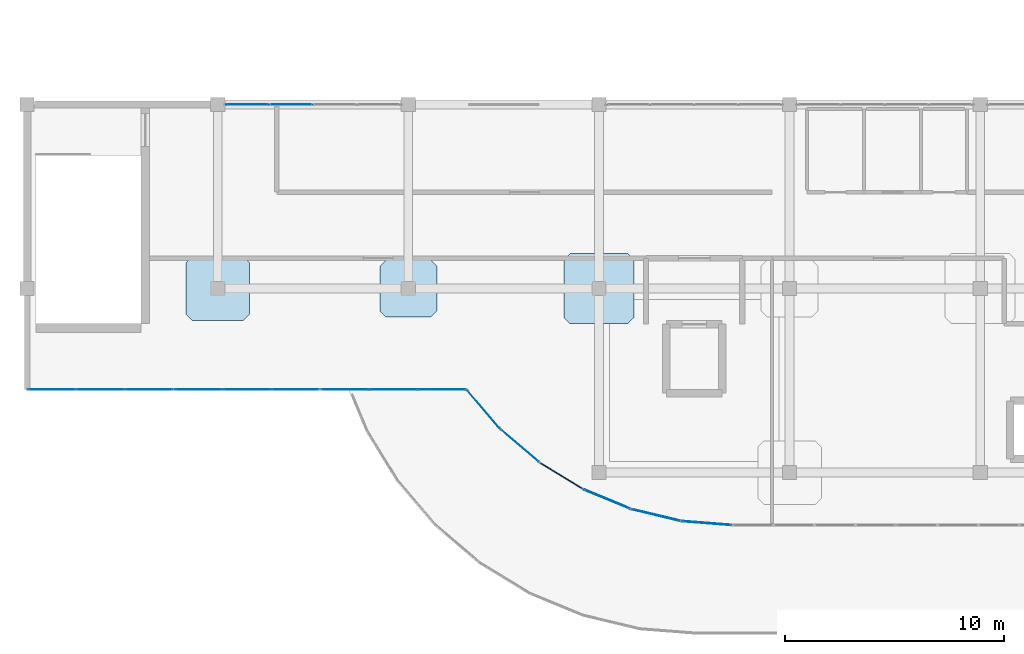
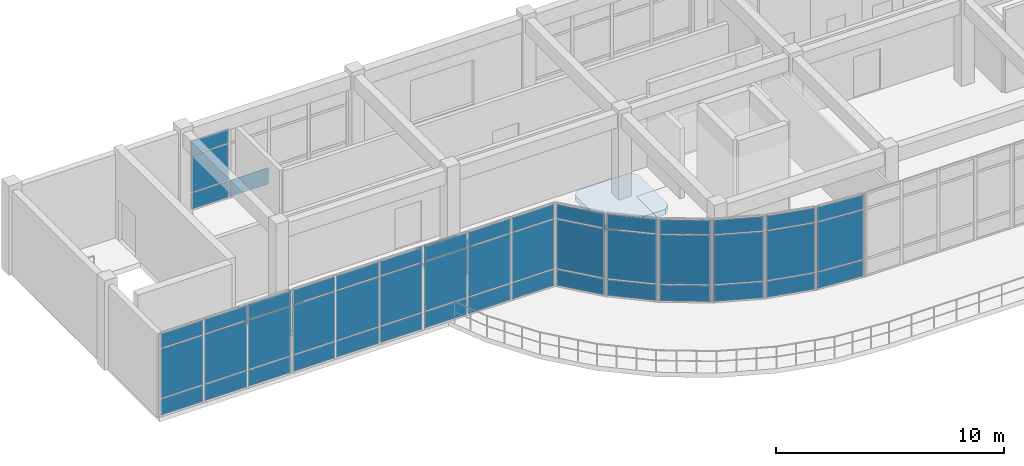
# One storey, part 31 of 41: 49 plates, 3 slabs, 10 elements without a shape of their own.
"""IFC4 building model written with IfcOpenShell, lengths in metres."""

from ifc_helpers import new_model, si_unit, derived_unit, direction, frame, origin, origin_2d, place, context, subcontext, project, spatial, polyline, rectangle, outline, extrude, material, layer, layer_set, type_object, element, aggregate, save


model = new_model("IFC4")

# Units and contexts
model_context = context("Model", 3, precision=1e-05, world=origin(), true_north=direction((0.0, 1.0)))
body_context = subcontext(model_context, "Body", "Model", "MODEL_VIEW")
ifc_project = project(units=[si_unit("LENGTHUNIT", "METRE"), si_unit("AREAUNIT", "SQUARE_METRE"), si_unit("VOLUMEUNIT", "CUBIC_METRE"), si_unit("PLANEANGLEUNIT", "RADIAN"), si_unit("MASSUNIT", "GRAM", prefix="KILO"), derived_unit("THERMALTRANSMITTANCEUNIT", [(si_unit("MASSUNIT", "GRAM", prefix="KILO"), 1), (si_unit("TIMEUNIT", "SECOND"), -3), (si_unit("THERMODYNAMICTEMPERATUREUNIT", "KELVIN"), -1)])], contexts=[model_context])

# Site, building, storey
site_placement = place(None, origin())
site = spatial("IfcSite", under=ifc_project, at=site_placement, CompositionType="ELEMENT")
building_placement = place(site_placement, origin())
building = spatial("IfcBuilding", under=site, at=building_placement, Name="Qinzheling Arcade Emporium", CompositionType="ELEMENT")
storey_placement = place(building_placement, frame((0.0, 0.0, 36.300048828125)))
storey = spatial("IfcBuildingStorey", under=building, at=storey_placement, Name="L08", CompositionType="ELEMENT", Elevation=36.300048828125)

# Slabs
ifc_material_1 = material(Name="Concrete C40", Category="concrete")
ifc_layer_1 = layer(ifc_material_1, 0.235107421875, Name="Concrete C40", Category="concrete")
ifc_layer_set_1 = layer_set([ifc_layer_1], Name="Concrete C40")
slab_type_1 = type_object("IfcSlabType", Name="Column Head Drop Panel 2600x2600x235 C40", PredefinedType="USERDEFINED", material=ifc_layer_set_1)
slab_1_placement = place(storey_placement, frame((0.0, 0.0, -0.51513671875)))
element("IfcSlab", 1, at=slab_1_placement, inside=storey, type_object=slab_type_1, Name="Column Drop Panel DP-L08-3-E", ObjectType="DROP_PANEL", PredefinedType="USERDEFINED", context=body_context, shape_type="SweptSolid", body=[
    extrude(outline(polyline([(16.3798828125, 32.300048828125), (18.419921875, 32.300048828125), (18.699951171875, 32.580078125), (18.699951171875, 34.6201171875), (18.419921875, 34.89990234375), (16.3798828125, 34.89990234375), (16.10009765625, 34.6201171875), (16.10009765625, 32.580078125), (16.3798828125, 32.300048828125)])), origin(), (0.0, 0.0, 1.0), 0.235107421875),
])
ifc_layer_2 = layer(ifc_material_1, 0.27001953125, Name="Concrete C40", Category="concrete")
ifc_layer_set_2 = layer_set([ifc_layer_2], Name="Concrete C40")
slab_type_2 = type_object("IfcSlabType", Name="Column Head Drop Panel 2900x2900x270 C40", PredefinedType="USERDEFINED", material=ifc_layer_set_2)
slab_2_placement = place(storey_placement, frame((0.0, 0.0, -0.550048828125)))
element("IfcSlab", 2, at=slab_2_placement, inside=storey, type_object=slab_type_2, Name="Column Drop Panel DP-L08-2-E", ObjectType="DROP_PANEL", PredefinedType="USERDEFINED", context=body_context, shape_type="SweptSolid", body=[
    extrude(outline(polyline([(7.530029296875, 32.14990234375), (9.8701171875, 32.14990234375), (10.14990234375, 32.429931640625), (10.14990234375, 34.77001953125), (9.8701171875, 35.050048828125), (7.530029296875, 35.050048828125), (7.25, 34.77001953125), (7.25, 32.429931640625), (7.530029296875, 32.14990234375)])), origin(), (0.0, 0.0, 1.0), 0.27001953125),
])
ifc_layer_3 = layer(ifc_material_1, 0.300048828125, Name="Concrete C40", Category="concrete")
ifc_layer_set_3 = layer_set([ifc_layer_3], Name="Concrete C40")
slab_type_3 = type_object("IfcSlabType", Name="Column Head Drop Panel 3200x3200x300 C40", PredefinedType="USERDEFINED", material=ifc_layer_set_3)
slab_3_placement = place(storey_placement, frame((0.0, 0.0, -0.580078125)))
element("IfcSlab", 3, at=slab_3_placement, inside=storey, type_object=slab_type_3, Name="Column Drop Panel DP-L08-4-E", ObjectType="DROP_PANEL", PredefinedType="USERDEFINED", context=body_context, shape_type="SweptSolid", body=[
    extrude(outline(polyline([(24.780029296875, 32.0), (27.419921875, 32.0), (27.699951171875, 32.280029296875), (27.699951171875, 34.919921875), (27.419921875, 35.199951171875), (24.780029296875, 35.199951171875), (24.5, 34.919921875), (24.5, 32.280029296875), (24.780029296875, 32.0)])), origin(), (0.0, 0.0, 1.0), 0.300048828125),
])

# Curtain wall, plates
ifc_material_2 = material(Name="Anodised aluminium and solar-control double glazing", Category="aluminium")
ifc_layer_4 = layer(ifc_material_2, 0.159912109375, Name="Anodised aluminium and solar-control double glazing", Category="aluminium")
ifc_layer_set_4 = layer_set([ifc_layer_4], Name="Anodised aluminium and solar-control double glazing")
curtain_wall_type_1 = type_object("IfcCurtainWallType", Name="Curved Ribbon Sales Curtain Wall", PredefinedType="NOTDEFINED", material=ifc_layer_set_4)
curtain_wall_1_placement = place(storey_placement, origin())
curtain_wall_1 = element("IfcCurtainWall", 4, at=curtain_wall_1_placement, inside=storey, type_object=curtain_wall_type_1, Name="Curtain Wall CW-L08-457", PredefinedType="NOTDEFINED")
ifc_material_3 = material(Name="Laminated solar-control double glazing", Category="glass")
ifc_layer_5 = layer(ifc_material_3, 0.02099609375, Name="Laminated solar-control double glazing", Category="glass")
ifc_layer_set_5 = layer_set([ifc_layer_5], Name="Laminated solar-control double glazing")
plate_type_1 = type_object("IfcPlateType", Name="Low-E Double Glazed Curtain Panel 21mm", PredefinedType="CURTAIN_PANEL", material=ifc_layer_set_5)
plate_1_placement = place(storey_placement, frame((22.488037109375, 26.428955078125, 0.06005859375), z_axis=(0.0, 0.0, 1.0), x_axis=(-0.760574737185, 0.649250390185, 0.0)))
plate_1 = element("IfcPlate", 5, at=plate_1_placement, type_object=plate_type_1, Name="CW02 panel 1.1", PredefinedType="CURTAIN_PANEL", context=body_context, shape_type="SweptSolid", body=[
    extrude(rectangle(XDim=2.2333984375, YDim=0.02099609375, at=origin_2d()), origin(), (0.0, 0.0, 1.0), 0.860107421875),
])
plate_2_placement = place(storey_placement, frame((22.488037109375, 26.428955078125, 0.97998046875), z_axis=(0.0, 0.0, 1.0), x_axis=(-0.760574737185, 0.649250390185, 0.0)))
plate_2 = element("IfcPlate", 6, at=plate_2_placement, type_object=plate_type_1, Name="CW02 panel 1.2", PredefinedType="CURTAIN_PANEL", context=body_context, shape_type="SweptSolid", body=[
    extrude(rectangle(XDim=2.2333984375, YDim=0.02099609375, at=origin_2d()), origin(), (0.0, 0.0, 1.0), 2.6298828125),
])
plate_3_placement = place(storey_placement, frame((22.488037109375, 26.428955078125, 3.669921875), z_axis=(0.0, 0.0, 1.0), x_axis=(-0.760574737185, 0.649250390185, 0.0)))
plate_3 = element("IfcPlate", 7, at=plate_3_placement, type_object=plate_type_1, Name="CW02 panel 1.3", PredefinedType="CURTAIN_PANEL", context=body_context, shape_type="SweptSolid", body=[
    extrude(rectangle(XDim=2.2333984375, YDim=0.02099609375, at=origin_2d()), origin(), (0.0, 0.0, 1.0), 0.760009765625),
])
aggregate(curtain_wall_1, [plate_1, plate_2, plate_3])

curtain_wall_2_placement = place(storey_placement, origin())
curtain_wall_2 = element("IfcCurtainWall", 8, at=curtain_wall_2_placement, inside=storey, type_object=curtain_wall_type_1, Name="Curtain Wall CW-L08-458", PredefinedType="NOTDEFINED")
ifc_layer_6 = layer(ifc_material_3, 0.02197265625, Name="Laminated solar-control double glazing", Category="glass")
ifc_layer_set_6 = layer_set([ifc_layer_6], Name="Laminated solar-control double glazing")
plate_type_2 = type_object("IfcPlateType", Name="Low-E Double Glazed Curtain Panel 22mm", PredefinedType="CURTAIN_PANEL", material=ifc_layer_set_6)
plate_4_placement = place(storey_placement, frame((20.8291015625, 28.087890625, 0.06005859375), z_axis=(0.0, 0.0, 1.0), x_axis=(-0.649250390185, 0.760574737185, 0.0)))
plate_4 = element("IfcPlate", 9, at=plate_4_placement, type_object=plate_type_2, Name="CW02 panel 1.1", PredefinedType="CURTAIN_PANEL", context=body_context, shape_type="SweptSolid", body=[
    extrude(rectangle(XDim=2.2333984375, YDim=0.02197265625, at=origin_2d()), origin(), (0.0, 0.0, 1.0), 0.860107421875),
])
plate_5_placement = place(storey_placement, frame((20.8291015625, 28.087890625, 0.97998046875), z_axis=(0.0, 0.0, 1.0), x_axis=(-0.649250390185, 0.760574737185, 0.0)))
plate_5 = element("IfcPlate", 10, at=plate_5_placement, type_object=plate_type_2, Name="CW02 panel 1.2", PredefinedType="CURTAIN_PANEL", context=body_context, shape_type="SweptSolid", body=[
    extrude(rectangle(XDim=2.2333984375, YDim=0.02197265625, at=origin_2d()), origin(), (0.0, 0.0, 1.0), 2.6298828125),
])
plate_6_placement = place(storey_placement, frame((20.8291015625, 28.087890625, 3.669921875), z_axis=(0.0, 0.0, 1.0), x_axis=(-0.649250390185, 0.760574737185, 0.0)))
plate_6 = element("IfcPlate", 11, at=plate_6_placement, type_object=plate_type_2, Name="CW02 panel 1.3", PredefinedType="CURTAIN_PANEL", context=body_context, shape_type="SweptSolid", body=[
    extrude(rectangle(XDim=2.2333984375, YDim=0.02197265625, at=origin_2d()), origin(), (0.0, 0.0, 1.0), 0.760009765625),
])
aggregate(curtain_wall_2, [plate_4, plate_5, plate_6])

ifc_layer_7 = layer(ifc_material_2, 0.159912109375, Name="Anodised aluminium and solar-control double glazing", Category="aluminium")
ifc_layer_set_7 = layer_set([ifc_layer_7], Name="Anodised aluminium and solar-control double glazing")
curtain_wall_type_2 = type_object("IfcCurtainWallType", Name="Arcade Portal Glazed Curtain Wall", PredefinedType="NOTDEFINED", material=ifc_layer_set_7)
curtain_wall_3_placement = place(storey_placement, origin())
curtain_wall_3 = element("IfcCurtainWall", 12, at=curtain_wall_3_placement, inside=storey, type_object=curtain_wall_type_2, Name="Curtain Wall CW-L08-459", PredefinedType="NOTDEFINED")
ifc_layer_8 = layer(ifc_material_3, 0.02392578125, Name="Laminated solar-control double glazing", Category="glass")
ifc_layer_set_8 = layer_set([ifc_layer_8], Name="Laminated solar-control double glazing")
plate_type_3 = type_object("IfcPlateType", Name="Low-E Double Glazed Curtain Panel 24mm", PredefinedType="CURTAIN_PANEL", material=ifc_layer_set_8)
plate_7_placement = place(storey_placement, frame((18.935546875, 28.984130859375, 0.06005859375), z_axis=(0.0, 0.0, 1.0), x_axis=(-0.999999597339, 0.000897397182, 0.0)))
plate_7 = element("IfcPlate", 13, at=plate_7_placement, type_object=plate_type_3, Name="CW05 panel 1.1", PredefinedType="CURTAIN_PANEL", context=body_context, shape_type="SweptSolid", body=[
    extrude(rectangle(XDim=2.138671875, YDim=0.02392578125, at=origin_2d()), origin(), (0.0, 0.0, 1.0), 0.860107421875),
])
plate_8_placement = place(storey_placement, frame((18.935546875, 28.984130859375, 0.97998046875), z_axis=(0.0, 0.0, 1.0), x_axis=(-0.999999597339, 0.000897397182, 0.0)))
plate_8 = element("IfcPlate", 14, at=plate_8_placement, type_object=plate_type_3, Name="CW05 panel 1.2", PredefinedType="CURTAIN_PANEL", context=body_context, shape_type="SweptSolid", body=[
    extrude(rectangle(XDim=2.138671875, YDim=0.02392578125, at=origin_2d()), origin(), (0.0, 0.0, 1.0), 2.6298828125),
])
plate_9_placement = place(storey_placement, frame((18.935546875, 28.984130859375, 3.669921875), z_axis=(0.0, 0.0, 1.0), x_axis=(-0.999999597339, 0.000897397182, 0.0)))
plate_9 = element("IfcPlate", 15, at=plate_9_placement, type_object=plate_type_3, Name="CW05 panel 1.3", PredefinedType="CURTAIN_PANEL", context=body_context, shape_type="SweptSolid", body=[
    extrude(rectangle(XDim=2.138671875, YDim=0.02392578125, at=origin_2d()), origin(), (0.0, 0.0, 1.0), 0.760009765625),
])
plate_10_placement = place(storey_placement, frame((16.721923828125, 28.986083984375, 0.06005859375), z_axis=(0.0, 0.0, 1.0), x_axis=(-0.999999597339, 0.000897397182, 0.0)))
plate_10 = element("IfcPlate", 16, at=plate_10_placement, type_object=plate_type_3, Name="CW05 panel 2.1", PredefinedType="CURTAIN_PANEL", context=body_context, shape_type="SweptSolid", body=[
    extrude(rectangle(XDim=2.168701171875, YDim=0.02392578125, at=origin_2d()), origin(), (0.0, 0.0, 1.0), 0.860107421875),
])
plate_11_placement = place(storey_placement, frame((16.721923828125, 28.986083984375, 0.97998046875), z_axis=(0.0, 0.0, 1.0), x_axis=(-0.999999597339, 0.000897397182, 0.0)))
plate_11 = element("IfcPlate", 17, at=plate_11_placement, type_object=plate_type_3, Name="CW05 panel 2.2", PredefinedType="CURTAIN_PANEL", context=body_context, shape_type="SweptSolid", body=[
    extrude(rectangle(XDim=2.168701171875, YDim=0.02392578125, at=origin_2d()), origin(), (0.0, 0.0, 1.0), 2.6298828125),
])
plate_12_placement = place(storey_placement, frame((16.721923828125, 28.986083984375, 3.669921875), z_axis=(0.0, 0.0, 1.0), x_axis=(-0.999999597339, 0.000897397182, 0.0)))
plate_12 = element("IfcPlate", 18, at=plate_12_placement, type_object=plate_type_3, Name="CW05 panel 2.3", PredefinedType="CURTAIN_PANEL", context=body_context, shape_type="SweptSolid", body=[
    extrude(rectangle(XDim=2.168701171875, YDim=0.02392578125, at=origin_2d()), origin(), (0.0, 0.0, 1.0), 0.760009765625),
])
plate_13_placement = place(storey_placement, frame((14.50830078125, 28.988037109375, 0.06005859375), z_axis=(0.0, 0.0, 1.0), x_axis=(-0.999999597339, 0.000897397182, 0.0)))
plate_13 = element("IfcPlate", 19, at=plate_13_placement, type_object=plate_type_3, Name="CW05 panel 3.1", PredefinedType="CURTAIN_PANEL", context=body_context, shape_type="SweptSolid", body=[
    extrude(rectangle(XDim=2.138671875, YDim=0.02392578125, at=origin_2d()), origin(), (0.0, 0.0, 1.0), 0.860107421875),
])
plate_14_placement = place(storey_placement, frame((14.50830078125, 28.988037109375, 0.97998046875), z_axis=(0.0, 0.0, 1.0), x_axis=(-0.999999597339, 0.000897397182, 0.0)))
plate_14 = element("IfcPlate", 20, at=plate_14_placement, type_object=plate_type_3, Name="CW05 panel 3.2", PredefinedType="CURTAIN_PANEL", context=body_context, shape_type="SweptSolid", body=[
    extrude(rectangle(XDim=2.138671875, YDim=0.02392578125, at=origin_2d()), origin(), (0.0, 0.0, 1.0), 2.6298828125),
])
plate_15_placement = place(storey_placement, frame((14.50830078125, 28.988037109375, 3.669921875), z_axis=(0.0, 0.0, 1.0), x_axis=(-0.999999597339, 0.000897397182, 0.0)))
plate_15 = element("IfcPlate", 21, at=plate_15_placement, type_object=plate_type_3, Name="CW05 panel 3.3", PredefinedType="CURTAIN_PANEL", context=body_context, shape_type="SweptSolid", body=[
    extrude(rectangle(XDim=2.138671875, YDim=0.02392578125, at=origin_2d()), origin(), (0.0, 0.0, 1.0), 0.760009765625),
])
aggregate(curtain_wall_3, [plate_7, plate_8, plate_9, plate_10, plate_11, plate_12, plate_13, plate_14, plate_15])

curtain_wall_4_placement = place(storey_placement, origin())
curtain_wall_4 = element("IfcCurtainWall", 22, at=curtain_wall_4_placement, inside=storey, type_object=curtain_wall_type_2, Name="Curtain Wall CW-L08-460", PredefinedType="NOTDEFINED")
ifc_layer_9 = layer(ifc_material_3, 0.02490234375, Name="Laminated solar-control double glazing", Category="glass")
ifc_layer_set_9 = layer_set([ifc_layer_9], Name="Laminated solar-control double glazing")
plate_type_4 = type_object("IfcPlateType", Name="Low-E Double Glazed Curtain Panel 25mm", PredefinedType="CURTAIN_PANEL", material=ifc_layer_set_9)
plate_16_placement = place(storey_placement, frame((12.245849609375, 28.98974609375, 0.06005859375), z_axis=(0.0, 0.0, 1.0), x_axis=(-0.999999720291, 0.000747942944, 0.0)))
plate_16 = element("IfcPlate", 23, at=plate_16_placement, type_object=plate_type_4, Name="CW05 panel 1.1", PredefinedType="CURTAIN_PANEL", context=body_context, shape_type="SweptSolid", body=[
    extrude(rectangle(XDim=2.138427734375, YDim=0.02490234375, at=origin_2d()), origin(), (0.0, 0.0, 1.0), 0.860107421875),
])
plate_17_placement = place(storey_placement, frame((12.245849609375, 28.98974609375, 0.97998046875), z_axis=(0.0, 0.0, 1.0), x_axis=(-0.999999720291, 0.000747942944, 0.0)))
plate_17 = element("IfcPlate", 24, at=plate_17_placement, type_object=plate_type_4, Name="CW05 panel 1.2", PredefinedType="CURTAIN_PANEL", context=body_context, shape_type="SweptSolid", body=[
    extrude(rectangle(XDim=2.138427734375, YDim=0.02490234375, at=origin_2d()), origin(), (0.0, 0.0, 1.0), 2.6298828125),
])
plate_18_placement = place(storey_placement, frame((12.245849609375, 28.98974609375, 3.669921875), z_axis=(0.0, 0.0, 1.0), x_axis=(-0.999999720291, 0.000747942944, 0.0)))
plate_18 = element("IfcPlate", 25, at=plate_18_placement, type_object=plate_type_4, Name="CW05 panel 1.3", PredefinedType="CURTAIN_PANEL", context=body_context, shape_type="SweptSolid", body=[
    extrude(rectangle(XDim=2.138427734375, YDim=0.02490234375, at=origin_2d()), origin(), (0.0, 0.0, 1.0), 0.760009765625),
])
plate_19_placement = place(storey_placement, frame((10.032470703125, 28.991455078125, 0.06005859375), z_axis=(0.0, 0.0, 1.0), x_axis=(-0.999999720291, 0.000747942944, 0.0)))
plate_19 = element("IfcPlate", 26, at=plate_19_placement, type_object=plate_type_4, Name="CW05 panel 2.1", PredefinedType="CURTAIN_PANEL", context=body_context, shape_type="SweptSolid", body=[
    extrude(rectangle(XDim=2.168212890625, YDim=0.02490234375, at=origin_2d()), origin(), (0.0, 0.0, 1.0), 0.860107421875),
])
plate_20_placement = place(storey_placement, frame((10.032470703125, 28.991455078125, 0.97998046875), z_axis=(0.0, 0.0, 1.0), x_axis=(-0.999999720291, 0.000747942944, 0.0)))
plate_20 = element("IfcPlate", 27, at=plate_20_placement, type_object=plate_type_4, Name="CW05 panel 2.2", PredefinedType="CURTAIN_PANEL", context=body_context, shape_type="SweptSolid", body=[
    extrude(rectangle(XDim=2.168212890625, YDim=0.02490234375, at=origin_2d()), origin(), (0.0, 0.0, 1.0), 2.6298828125),
])
plate_21_placement = place(storey_placement, frame((10.032470703125, 28.991455078125, 3.669921875), z_axis=(0.0, 0.0, 1.0), x_axis=(-0.999999720291, 0.000747942944, 0.0)))
plate_21 = element("IfcPlate", 28, at=plate_21_placement, type_object=plate_type_4, Name="CW05 panel 2.3", PredefinedType="CURTAIN_PANEL", context=body_context, shape_type="SweptSolid", body=[
    extrude(rectangle(XDim=2.168212890625, YDim=0.02490234375, at=origin_2d()), origin(), (0.0, 0.0, 1.0), 0.760009765625),
])
plate_22_placement = place(storey_placement, frame((7.819091796875, 28.9931640625, 0.06005859375), z_axis=(0.0, 0.0, 1.0), x_axis=(-0.999999720291, 0.000747942944, 0.0)))
plate_22 = element("IfcPlate", 29, at=plate_22_placement, type_object=plate_type_4, Name="CW05 panel 3.1", PredefinedType="CURTAIN_PANEL", context=body_context, shape_type="SweptSolid", body=[
    extrude(rectangle(XDim=2.138427734375, YDim=0.02490234375, at=origin_2d()), origin(), (0.0, 0.0, 1.0), 0.860107421875),
])
plate_23_placement = place(storey_placement, frame((7.819091796875, 28.9931640625, 0.97998046875), z_axis=(0.0, 0.0, 1.0), x_axis=(-0.999999720291, 0.000747942944, 0.0)))
plate_23 = element("IfcPlate", 30, at=plate_23_placement, type_object=plate_type_4, Name="CW05 panel 3.2", PredefinedType="CURTAIN_PANEL", context=body_context, shape_type="SweptSolid", body=[
    extrude(rectangle(XDim=2.138427734375, YDim=0.02490234375, at=origin_2d()), origin(), (0.0, 0.0, 1.0), 2.6298828125),
])
plate_24_placement = place(storey_placement, frame((7.819091796875, 28.9931640625, 3.669921875), z_axis=(0.0, 0.0, 1.0), x_axis=(-0.999999720291, 0.000747942944, 0.0)))
plate_24 = element("IfcPlate", 31, at=plate_24_placement, type_object=plate_type_4, Name="CW05 panel 3.3", PredefinedType="CURTAIN_PANEL", context=body_context, shape_type="SweptSolid", body=[
    extrude(rectangle(XDim=2.138427734375, YDim=0.02490234375, at=origin_2d()), origin(), (0.0, 0.0, 1.0), 0.760009765625),
])
aggregate(curtain_wall_4, [plate_16, plate_17, plate_18, plate_19, plate_20, plate_21, plate_22, plate_23, plate_24])

curtain_wall_5_placement = place(storey_placement, origin())
curtain_wall_5 = element("IfcCurtainWall", 32, at=curtain_wall_5_placement, inside=storey, type_object=curtain_wall_type_2, Name="Curtain Wall CW-L08-461", PredefinedType="NOTDEFINED")
ifc_layer_10 = layer(ifc_material_3, 0.02587890625, Name="Laminated solar-control double glazing", Category="glass")
ifc_layer_set_10 = layer_set([ifc_layer_10], Name="Laminated solar-control double glazing")
plate_type_5 = type_object("IfcPlateType", Name="Low-E Double Glazed Curtain Panel 26mm", PredefinedType="CURTAIN_PANEL", material=ifc_layer_set_10)
plate_25_placement = place(storey_placement, frame((5.556640625, 28.9951171875, 0.06005859375), z_axis=(0.0, 0.0, 1.0), x_axis=(-0.999999597339, 0.000897397182, 0.0)))
plate_25 = element("IfcPlate", 33, at=plate_25_placement, type_object=plate_type_5, Name="CW05 panel 1.1", PredefinedType="CURTAIN_PANEL", context=body_context, shape_type="SweptSolid", body=[
    extrude(rectangle(XDim=2.138671875, YDim=0.02587890625, at=origin_2d()), origin(), (0.0, 0.0, 1.0), 0.860107421875),
])
plate_26_placement = place(storey_placement, frame((5.556640625, 28.9951171875, 0.97998046875), z_axis=(0.0, 0.0, 1.0), x_axis=(-0.999999597339, 0.000897397182, 0.0)))
plate_26 = element("IfcPlate", 34, at=plate_26_placement, type_object=plate_type_5, Name="CW05 panel 1.2", PredefinedType="CURTAIN_PANEL", context=body_context, shape_type="SweptSolid", body=[
    extrude(rectangle(XDim=2.138671875, YDim=0.02587890625, at=origin_2d()), origin(), (0.0, 0.0, 1.0), 2.6298828125),
])
plate_27_placement = place(storey_placement, frame((5.556640625, 28.9951171875, 3.669921875), z_axis=(0.0, 0.0, 1.0), x_axis=(-0.999999597339, 0.000897397182, 0.0)))
plate_27 = element("IfcPlate", 35, at=plate_27_placement, type_object=plate_type_5, Name="CW05 panel 1.3", PredefinedType="CURTAIN_PANEL", context=body_context, shape_type="SweptSolid", body=[
    extrude(rectangle(XDim=2.138671875, YDim=0.02587890625, at=origin_2d()), origin(), (0.0, 0.0, 1.0), 0.760009765625),
])
plate_28_placement = place(storey_placement, frame((3.343017578125, 28.9970703125, 0.06005859375), z_axis=(0.0, 0.0, 1.0), x_axis=(-0.999999597339, 0.000897397182, 0.0)))
plate_28 = element("IfcPlate", 36, at=plate_28_placement, type_object=plate_type_5, Name="CW05 panel 2.1", PredefinedType="CURTAIN_PANEL", context=body_context, shape_type="SweptSolid", body=[
    extrude(rectangle(XDim=2.168701171875, YDim=0.02587890625, at=origin_2d()), origin(), (0.0, 0.0, 1.0), 0.860107421875),
])
plate_29_placement = place(storey_placement, frame((3.343017578125, 28.9970703125, 0.97998046875), z_axis=(0.0, 0.0, 1.0), x_axis=(-0.999999597339, 0.000897397182, 0.0)))
plate_29 = element("IfcPlate", 37, at=plate_29_placement, type_object=plate_type_5, Name="CW05 panel 2.2", PredefinedType="CURTAIN_PANEL", context=body_context, shape_type="SweptSolid", body=[
    extrude(rectangle(XDim=2.168701171875, YDim=0.02587890625, at=origin_2d()), origin(), (0.0, 0.0, 1.0), 2.6298828125),
])
plate_30_placement = place(storey_placement, frame((3.343017578125, 28.9970703125, 3.669921875), z_axis=(0.0, 0.0, 1.0), x_axis=(-0.999999597339, 0.000897397182, 0.0)))
plate_30 = element("IfcPlate", 38, at=plate_30_placement, type_object=plate_type_5, Name="CW05 panel 2.3", PredefinedType="CURTAIN_PANEL", context=body_context, shape_type="SweptSolid", body=[
    extrude(rectangle(XDim=2.168701171875, YDim=0.02587890625, at=origin_2d()), origin(), (0.0, 0.0, 1.0), 0.760009765625),
])
plate_31_placement = place(storey_placement, frame((1.12939453125, 28.9990234375, 0.06005859375), z_axis=(0.0, 0.0, 1.0), x_axis=(-0.999999597339, 0.000897397182, 0.0)))
plate_31 = element("IfcPlate", 39, at=plate_31_placement, type_object=plate_type_5, Name="CW05 panel 3.1", PredefinedType="CURTAIN_PANEL", context=body_context, shape_type="SweptSolid", body=[
    extrude(rectangle(XDim=2.138671875, YDim=0.02587890625, at=origin_2d()), origin(), (0.0, 0.0, 1.0), 0.860107421875),
])
plate_32_placement = place(storey_placement, frame((1.12939453125, 28.9990234375, 0.97998046875), z_axis=(0.0, 0.0, 1.0), x_axis=(-0.999999597339, 0.000897397182, 0.0)))
plate_32 = element("IfcPlate", 40, at=plate_32_placement, type_object=plate_type_5, Name="CW05 panel 3.2", PredefinedType="CURTAIN_PANEL", context=body_context, shape_type="SweptSolid", body=[
    extrude(rectangle(XDim=2.138671875, YDim=0.02587890625, at=origin_2d()), origin(), (0.0, 0.0, 1.0), 2.6298828125),
])
plate_33_placement = place(storey_placement, frame((1.12939453125, 28.9990234375, 3.669921875), z_axis=(0.0, 0.0, 1.0), x_axis=(-0.999999597339, 0.000897397182, 0.0)))
plate_33 = element("IfcPlate", 41, at=plate_33_placement, type_object=plate_type_5, Name="CW05 panel 3.3", PredefinedType="CURTAIN_PANEL", context=body_context, shape_type="SweptSolid", body=[
    extrude(rectangle(XDim=2.138671875, YDim=0.02587890625, at=origin_2d()), origin(), (0.0, 0.0, 1.0), 0.760009765625),
])
aggregate(curtain_wall_5, [plate_25, plate_26, plate_27, plate_28, plate_29, plate_30, plate_31, plate_32, plate_33])

ifc_layer_11 = layer(ifc_material_2, 0.159912109375, Name="Anodised aluminium and solar-control double glazing", Category="aluminium")
ifc_layer_set_11 = layer_set([ifc_layer_11], Name="Anodised aluminium and solar-control double glazing")
curtain_wall_type_3 = type_object("IfcCurtainWallType", Name="Atrium Clerestory Curtain Wall", PredefinedType="NOTDEFINED", material=ifc_layer_set_11)
curtain_wall_6_placement = place(storey_placement, origin())
curtain_wall_6 = element("IfcCurtainWall", 42, at=curtain_wall_6_placement, inside=storey, type_object=curtain_wall_type_3, Name="Curtain Wall CW-L08-462", PredefinedType="NOTDEFINED")
ifc_layer_12 = layer(ifc_material_3, 0.027099609375, Name="Laminated solar-control double glazing", Category="glass")
ifc_layer_set_12 = layer_set([ifc_layer_12], Name="Laminated solar-control double glazing")
plate_type_6 = type_object("IfcPlateType", Name="Low-E Double Glazed Curtain Panel 27mm", PredefinedType="CURTAIN_PANEL", material=ifc_layer_set_12)
plate_34_placement = place(storey_placement, frame((10.0478515625, 42.0, 0.06005859375), z_axis=(0.0, 0.0, 1.0), x_axis=(1.0, 0.0, 0.0)))
plate_34 = element("IfcPlate", 43, at=plate_34_placement, type_object=plate_type_6, Name="CW03 panel 1.1", PredefinedType="CURTAIN_PANEL", context=body_context, shape_type="SweptSolid", body=[
    extrude(rectangle(XDim=1.92138671875, YDim=0.027099609375, at=origin_2d()), origin(), (0.0, 0.0, 1.0), 0.860107421875),
])
plate_35_placement = place(storey_placement, frame((10.0478515625, 42.0, 0.97998046875), z_axis=(0.0, 0.0, 1.0), x_axis=(1.0, 0.0, 0.0)))
plate_35 = element("IfcPlate", 44, at=plate_35_placement, type_object=plate_type_6, Name="CW03 panel 1.2", PredefinedType="CURTAIN_PANEL", context=body_context, shape_type="SweptSolid", body=[
    extrude(rectangle(XDim=1.92138671875, YDim=0.027099609375, at=origin_2d()), origin(), (0.0, 0.0, 1.0), 1.93505859375),
])
plate_36_placement = place(storey_placement, frame((10.0478515625, 42.0, 2.97509765625), z_axis=(0.0, 0.0, 1.0), x_axis=(1.0, 0.0, 0.0)))
plate_36 = element("IfcPlate", 45, at=plate_36_placement, type_object=plate_type_6, Name="CW03 panel 1.3", PredefinedType="CURTAIN_PANEL", context=body_context, shape_type="SweptSolid", body=[
    extrude(rectangle(XDim=1.92138671875, YDim=0.027099609375, at=origin_2d()), origin(), (0.0, 0.0, 1.0), 0.760009765625),
])
plate_37_placement = place(storey_placement, frame((12.044189453125, 42.0, 0.06005859375), z_axis=(0.0, 0.0, 1.0), x_axis=(1.0, 0.0, 0.0)))
plate_37 = element("IfcPlate", 46, at=plate_37_placement, type_object=plate_type_6, Name="CW03 panel 2.1", PredefinedType="CURTAIN_PANEL", context=body_context, shape_type="SweptSolid", body=[
    extrude(rectangle(XDim=1.951416015625, YDim=0.027099609375, at=origin_2d()), origin(), (0.0, 0.0, 1.0), 0.860107421875),
])
aggregate(curtain_wall_6, [plate_34, plate_35, plate_36, plate_37])

curtain_wall_7_placement = place(storey_placement, origin())
curtain_wall_7 = element("IfcCurtainWall", 47, at=curtain_wall_7_placement, inside=storey, type_object=curtain_wall_type_2, Name="Curtain Wall CW-L08-453", PredefinedType="NOTDEFINED")
ifc_layer_13 = layer(ifc_material_3, 0.035888671875, Name="Laminated solar-control double glazing", Category="glass")
ifc_layer_set_13 = layer_set([ifc_layer_13], Name="Laminated solar-control double glazing")
plate_type_7 = type_object("IfcPlateType", Name="Low-E Double Glazed Curtain Panel 36mm", PredefinedType="CURTAIN_PANEL", material=ifc_layer_set_13)
plate_38_placement = place(storey_placement, frame((31.026611328125, 22.892578125, 0.06005859375), z_axis=(0.0, 0.0, 1.0), x_axis=(-0.996907788119, 0.078580290076, 0.0)))
plate_38 = element("IfcPlate", 48, at=plate_38_placement, type_object=plate_type_7, Name="CW05 panel 1.1", PredefinedType="CURTAIN_PANEL", context=body_context, shape_type="SweptSolid", body=[
    extrude(rectangle(XDim=2.234375, YDim=0.035888671875, at=origin_2d()), origin(), (0.0, 0.0, 1.0), 0.860107421875),
])
plate_39_placement = place(storey_placement, frame((31.026611328125, 22.892578125, 0.97998046875), z_axis=(0.0, 0.0, 1.0), x_axis=(-0.996907788119, 0.078580290076, 0.0)))
plate_39 = element("IfcPlate", 49, at=plate_39_placement, type_object=plate_type_7, Name="CW05 panel 1.2", PredefinedType="CURTAIN_PANEL", context=body_context, shape_type="SweptSolid", body=[
    extrude(rectangle(XDim=2.234375, YDim=0.035888671875, at=origin_2d()), origin(), (0.0, 0.0, 1.0), 2.6298828125),
])
plate_40_placement = place(storey_placement, frame((31.026611328125, 22.892578125, 3.669921875), z_axis=(0.0, 0.0, 1.0), x_axis=(-0.996907788119, 0.078580290076, 0.0)))
plate_40 = element("IfcPlate", 50, at=plate_40_placement, type_object=plate_type_7, Name="CW05 panel 1.3", PredefinedType="CURTAIN_PANEL", context=body_context, shape_type="SweptSolid", body=[
    extrude(rectangle(XDim=2.234375, YDim=0.035888671875, at=origin_2d()), origin(), (0.0, 0.0, 1.0), 0.760009765625),
])
aggregate(curtain_wall_7, [plate_38, plate_39, plate_40])

curtain_wall_8_placement = place(storey_placement, origin())
curtain_wall_8 = element("IfcCurtainWall", 51, at=curtain_wall_8_placement, inside=storey, type_object=curtain_wall_type_1, Name="Curtain Wall CW-L08-454", PredefinedType="NOTDEFINED")
ifc_layer_14 = layer(ifc_material_3, 0.0380859375, Name="Laminated solar-control double glazing", Category="glass")
ifc_layer_set_14 = layer_set([ifc_layer_14], Name="Laminated solar-control double glazing")
plate_type_8 = type_object("IfcPlateType", Name="Low-E Double Glazed Curtain Panel 38mm", PredefinedType="CURTAIN_PANEL", material=ifc_layer_set_14)
plate_41_placement = place(storey_placement, frame((28.708984375, 23.259521484375, 0.06005859375), z_axis=(0.0, 0.0, 1.0), x_axis=(-0.972398874145, 0.233324729854, 0.0)))
plate_41 = element("IfcPlate", 52, at=plate_41_placement, type_object=plate_type_8, Name="CW02 panel 1.1", PredefinedType="CURTAIN_PANEL", context=body_context, shape_type="SweptSolid", body=[
    extrude(rectangle(XDim=2.23291015625, YDim=0.0380859375, at=origin_2d()), origin(), (0.0, 0.0, 1.0), 0.860107421875),
])
plate_42_placement = place(storey_placement, frame((28.708984375, 23.259521484375, 0.97998046875), z_axis=(0.0, 0.0, 1.0), x_axis=(-0.972398874145, 0.233324729854, 0.0)))
plate_42 = element("IfcPlate", 53, at=plate_42_placement, type_object=plate_type_8, Name="CW02 panel 1.2", PredefinedType="CURTAIN_PANEL", context=body_context, shape_type="SweptSolid", body=[
    extrude(rectangle(XDim=2.23291015625, YDim=0.0380859375, at=origin_2d()), origin(), (0.0, 0.0, 1.0), 2.6298828125),
])
plate_43_placement = place(storey_placement, frame((28.708984375, 23.259521484375, 3.669921875), z_axis=(0.0, 0.0, 1.0), x_axis=(-0.972398874145, 0.233324729854, 0.0)))
plate_43 = element("IfcPlate", 54, at=plate_43_placement, type_object=plate_type_8, Name="CW02 panel 1.3", PredefinedType="CURTAIN_PANEL", context=body_context, shape_type="SweptSolid", body=[
    extrude(rectangle(XDim=2.23291015625, YDim=0.0380859375, at=origin_2d()), origin(), (0.0, 0.0, 1.0), 0.760009765625),
])
aggregate(curtain_wall_8, [plate_41, plate_42, plate_43])

curtain_wall_9_placement = place(storey_placement, origin())
curtain_wall_9 = element("IfcCurtainWall", 55, at=curtain_wall_9_placement, inside=storey, type_object=curtain_wall_type_1, Name="Curtain Wall CW-L08-455", PredefinedType="NOTDEFINED")
ifc_layer_15 = layer(ifc_material_3, 0.0400390625, Name="Laminated solar-control double glazing", Category="glass")
ifc_layer_set_15 = layer_set([ifc_layer_15], Name="Laminated solar-control double glazing")
plate_type_9 = type_object("IfcPlateType", Name="Low-E Double Glazed Curtain Panel 40mm", PredefinedType="CURTAIN_PANEL", material=ifc_layer_set_15)
plate_44_placement = place(storey_placement, frame((26.4775390625, 23.984619140625, 0.06005859375), z_axis=(0.0, 0.0, 1.0), x_axis=(-0.923866691535, 0.382714431752, 0.0)))
plate_44 = element("IfcPlate", 56, at=plate_44_placement, type_object=plate_type_9, Name="CW02 panel 1.1", PredefinedType="CURTAIN_PANEL", context=body_context, shape_type="SweptSolid", body=[
    extrude(rectangle(XDim=2.234130859375, YDim=0.0400390625, at=origin_2d()), origin(), (0.0, 0.0, 1.0), 0.860107421875),
])
plate_45_placement = place(storey_placement, frame((26.4775390625, 23.984619140625, 0.97998046875), z_axis=(0.0, 0.0, 1.0), x_axis=(-0.923866691535, 0.382714431752, 0.0)))
plate_45 = element("IfcPlate", 57, at=plate_45_placement, type_object=plate_type_9, Name="CW02 panel 1.2", PredefinedType="CURTAIN_PANEL", context=body_context, shape_type="SweptSolid", body=[
    extrude(rectangle(XDim=2.234130859375, YDim=0.0400390625, at=origin_2d()), origin(), (0.0, 0.0, 1.0), 2.6298828125),
])
plate_46_placement = place(storey_placement, frame((26.4775390625, 23.984619140625, 3.669921875), z_axis=(0.0, 0.0, 1.0), x_axis=(-0.923866691535, 0.382714431752, 0.0)))
plate_46 = element("IfcPlate", 58, at=plate_46_placement, type_object=plate_type_9, Name="CW02 panel 1.3", PredefinedType="CURTAIN_PANEL", context=body_context, shape_type="SweptSolid", body=[
    extrude(rectangle(XDim=2.234130859375, YDim=0.0400390625, at=origin_2d()), origin(), (0.0, 0.0, 1.0), 0.760009765625),
])
aggregate(curtain_wall_9, [plate_44, plate_45, plate_46])

curtain_wall_10_placement = place(storey_placement, origin())
curtain_wall_10 = element("IfcCurtainWall", 59, at=curtain_wall_10_placement, inside=storey, type_object=curtain_wall_type_1, Name="Curtain Wall CW-L08-456", PredefinedType="NOTDEFINED")
ifc_layer_16 = layer(ifc_material_3, 0.0419921875, Name="Laminated solar-control double glazing", Category="glass")
ifc_layer_set_16 = layer_set([ifc_layer_16], Name="Laminated solar-control double glazing")
plate_type_10 = type_object("IfcPlateType", Name="Low-E Double Glazed Curtain Panel 42mm", PredefinedType="CURTAIN_PANEL", material=ifc_layer_set_16)
plate_47_placement = place(storey_placement, frame((24.386474609375, 25.050048828125, 0.06005859375), z_axis=(0.0, 0.0, 1.0), x_axis=(-0.852619568756, 0.522532172191, 0.0)))
plate_47 = element("IfcPlate", 60, at=plate_47_placement, type_object=plate_type_10, Name="CW02 panel 1.1", PredefinedType="CURTAIN_PANEL", context=body_context, shape_type="SweptSolid", body=[
    extrude(rectangle(XDim=2.23388671875, YDim=0.0419921875, at=origin_2d()), origin(), (0.0, 0.0, 1.0), 0.860107421875),
])
plate_48_placement = place(storey_placement, frame((24.386474609375, 25.050048828125, 0.97998046875), z_axis=(0.0, 0.0, 1.0), x_axis=(-0.852619568756, 0.522532172191, 0.0)))
plate_48 = element("IfcPlate", 61, at=plate_48_placement, type_object=plate_type_10, Name="CW02 panel 1.2", PredefinedType="CURTAIN_PANEL", context=body_context, shape_type="SweptSolid", body=[
    extrude(rectangle(XDim=2.23388671875, YDim=0.0419921875, at=origin_2d()), origin(), (0.0, 0.0, 1.0), 2.6298828125),
])
plate_49_placement = place(storey_placement, frame((24.386474609375, 25.050048828125, 3.669921875), z_axis=(0.0, 0.0, 1.0), x_axis=(-0.852619568756, 0.522532172191, 0.0)))
plate_49 = element("IfcPlate", 62, at=plate_49_placement, type_object=plate_type_10, Name="CW02 panel 1.3", PredefinedType="CURTAIN_PANEL", context=body_context, shape_type="SweptSolid", body=[
    extrude(rectangle(XDim=2.23388671875, YDim=0.0419921875, at=origin_2d()), origin(), (0.0, 0.0, 1.0), 0.760009765625),
])
aggregate(curtain_wall_10, [plate_47, plate_48, plate_49])

save(model, "model.ifc")
